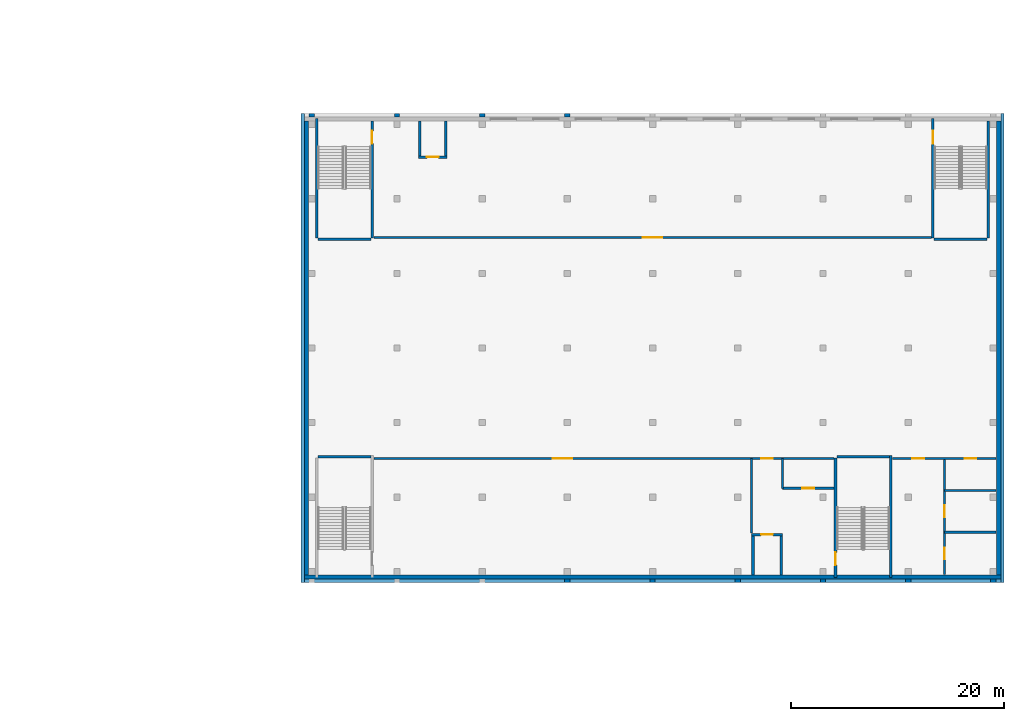
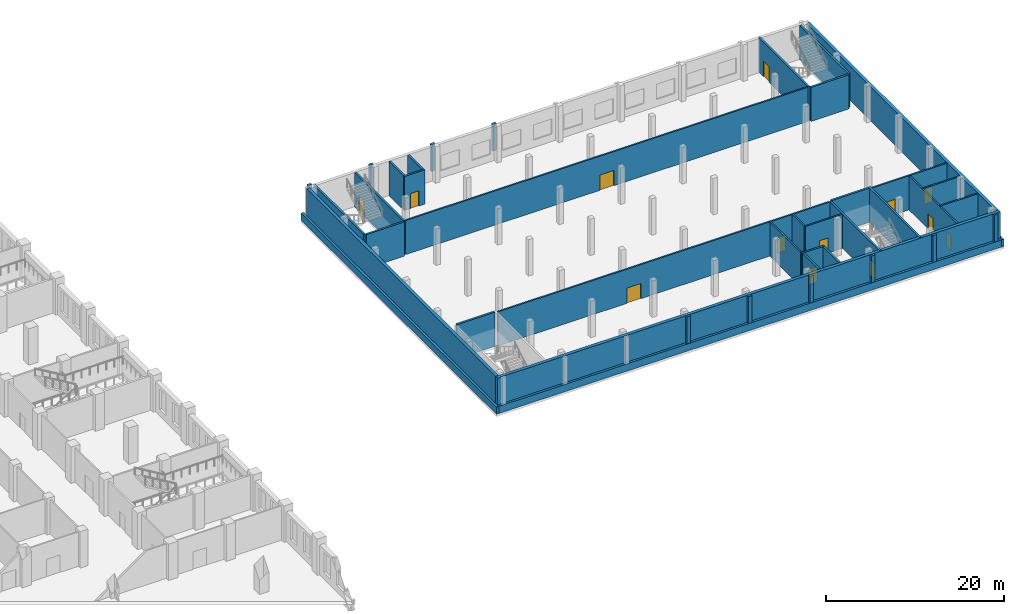
# One storey, part 11 of 32: 41 walls, 13 doors, 13 openings.
"""IFC4 building model written with IfcOpenShell, lengths in metres."""

from ifc_helpers import new_model, si_unit, direction, frame, frame_2d, origin, place, context, subcontext, project, spatial, rectangle, extrude, material, layer, layer_set, type_object, element, fill, save


model = new_model("IFC4")

# Units and contexts
model_context = context("Model", 3, precision=1e-05, world=origin(), true_north=direction((0.0, 1.0)))
body_context = subcontext(model_context, "Body", "Model", "MODEL_VIEW")
ifc_project = project(units=[si_unit("LENGTHUNIT", "METRE"), si_unit("AREAUNIT", "SQUARE_METRE"), si_unit("VOLUMEUNIT", "CUBIC_METRE"), si_unit("PLANEANGLEUNIT", "RADIAN"), si_unit("MASSUNIT", "GRAM", prefix="KILO")], contexts=[model_context])

# Site, building, storey
site_placement = place(None, origin())
site = spatial("IfcSite", under=ifc_project, at=site_placement, CompositionType="ELEMENT")
building_placement = place(site_placement, origin())
building = spatial("IfcBuilding", under=site, at=building_placement, Name="Tamorin Gate", CompositionType="ELEMENT")
storey_placement = place(building_placement, frame((0.0, 0.0, 13.5)))
storey = spatial("IfcBuildingStorey", under=building, at=storey_placement, Name="L02", CompositionType="ELEMENT", Elevation=13.5)

# Wall, openings, doors
ifc_material_1 = material(Name="Dense blockwork, plastered", Category="masonry")
ifc_layer_1 = layer(ifc_material_1, 0.199951171875)
ifc_layer_set_1 = layer_set([ifc_layer_1], Name="Blockwork partition 200")
wall_type_1 = type_object("IfcWallType", Name="Blockwork partition 200", PredefinedType="PARTITIONING", material=ifc_layer_set_1)
wall_1_placement = place(storey_placement, frame((151.530029296875, 66.330078125, 0.0), z_axis=(0.0, 0.0, 1.0), x_axis=(1.0, 0.0, 0.0)))
wall_1 = element("IfcWall", 1, at=wall_1_placement, inside=storey, type_object=wall_type_1, Name="Partition", PredefinedType="PARTITIONING", context=body_context, shape_type="SweptSolid", body=[
    extrude(rectangle(XDim=43.18994140625, YDim=0.199951171875, at=frame_2d((21.594970703125, 0.0))), origin(), (0.0, 0.0, 1.0), 4.699951171875),
])
opening_1_placement = place(wall_1_placement, frame((16.820068359375, 0.0, 0.0)))
opening_1 = element("IfcOpeningElement", 2, at=opening_1_placement, cuts=wall_1, Name="Opening DM77", PredefinedType="OPENING", context=body_context, shape_type="SweptSolid", body=[
    extrude(rectangle(XDim=1.800048828125, YDim=2.10009765625, at=frame_2d((0.89990234375, 1.050048828125))), frame((0.0, 0.10986328125, 0.0), z_axis=(0.0, -1.0, 0.0), x_axis=(1.0, 0.0, 0.0)), (0.0, 0.0, 1.0), 0.219970703125),
])
opening_2_placement = place(wall_1_placement, frame((36.3701171875, 0.0, 0.0)))
opening_2 = element("IfcOpeningElement", 3, at=opening_2_placement, cuts=wall_1, Name="Opening DM79", PredefinedType="OPENING", context=body_context, shape_type="SweptSolid", body=[
    extrude(rectangle(XDim=1.10009765625, YDim=2.10009765625, at=frame_2d((0.550048828125, 1.050048828125))), frame((0.0, 0.10986328125, 0.0), z_axis=(0.0, -1.0, 0.0), x_axis=(1.0, 0.0, 0.0)), (0.0, 0.0, 1.0), 0.219970703125),
])
ifc_material_2 = material(Name="Steel, painted", Category="steel")
door_type_1 = type_object("IfcDoorType", Name="Museum door 1100x2100", OperationType="SINGLE_SWING_LEFT", PredefinedType="DOOR", material=ifc_material_2)
door_1_placement = place(opening_2_placement, origin())
door_1 = element("IfcDoor", 4, at=door_1_placement, inside=storey, type_object=door_type_1, Name="Door Goods lobby", OperationType="SINGLE_SWING_RIGHT", OverallHeight=2.10009765625, OverallWidth=1.10009765625, PredefinedType="DOOR", context=body_context, shape_type="SweptSolid", body=[
    extrude(rectangle(XDim=1.10009765625, YDim=2.10009765625, at=frame_2d((0.550048828125, 1.050048828125))), frame((0.0, 0.02490234375, 0.0), z_axis=(0.0, -1.0, 0.0), x_axis=(1.0, 0.0, 0.0)), (0.0, 0.0, 1.0), 0.050048828125),
])
fill(opening_2, door_1)
door_type_2 = type_object("IfcDoorType", Name="Museum double door 1800x2100", OperationType="DOUBLE_DOOR_SINGLE_SWING", PredefinedType="DOOR", material=ifc_material_2)
door_2_placement = place(opening_1_placement, origin())
door_2 = element("IfcDoor", 5, at=door_2_placement, inside=storey, type_object=door_type_2, Name="Door Gallery two introduction", OperationType="DOUBLE_DOOR_SINGLE_SWING", OverallHeight=2.10009765625, OverallWidth=1.800048828125, PredefinedType="DOOR", context=body_context, shape_type="SweptSolid", body=[
    extrude(rectangle(XDim=1.800048828125, YDim=2.10009765625, at=frame_2d((0.89990234375, 1.050048828125))), frame((0.0, 0.02490234375, 0.0), z_axis=(0.0, -1.0, 0.0), x_axis=(1.0, 0.0, 0.0)), (0.0, 0.0, 1.0), 0.050048828125),
])
fill(opening_1, door_2)

wall_2_placement = place(storey_placement, frame((200.22998046875, 66.330078125, 0.0), z_axis=(0.0, 0.0, 1.0), x_axis=(1.0, 0.0, 0.0)))
wall_2 = element("IfcWall", 6, at=wall_2_placement, inside=storey, type_object=wall_type_1, Name="Partition", PredefinedType="PARTITIONING", context=body_context, shape_type="SweptSolid", body=[
    extrude(rectangle(XDim=9.719970703125, YDim=0.199951171875, at=frame_2d((4.85986328125, 0.0))), origin(), (0.0, 0.0, 1.0), 4.699951171875),
])
opening_3_placement = place(wall_2_placement, frame((1.8701171875, 0.0, 0.0)))
opening_3 = element("IfcOpeningElement", 7, at=opening_3_placement, cuts=wall_2, Name="Opening DM80", PredefinedType="OPENING", context=body_context, shape_type="SweptSolid", body=[
    extrude(rectangle(XDim=1.10009765625, YDim=2.10009765625, at=frame_2d((0.550048828125, 1.050048828125))), frame((0.0, 0.10986328125, 0.0), z_axis=(0.0, -1.0, 0.0), x_axis=(1.0, 0.0, 0.0)), (0.0, 0.0, 1.0), 0.219970703125),
])
opening_4_placement = place(wall_2_placement, frame((6.77001953125, 0.0, 0.0)))
opening_4 = element("IfcOpeningElement", 8, at=opening_4_placement, cuts=wall_2, Name="Opening DM81", PredefinedType="OPENING", context=body_context, shape_type="SweptSolid", body=[
    extrude(rectangle(XDim=1.10009765625, YDim=2.10009765625, at=frame_2d((0.550048828125, 1.050048828125))), frame((0.0, 0.10986328125, 0.0), z_axis=(0.0, -1.0, 0.0), x_axis=(1.0, 0.0, 0.0)), (0.0, 0.0, 1.0), 0.219970703125),
])
door_3_placement = place(opening_3_placement, origin())
door_3 = element("IfcDoor", 9, at=door_3_placement, inside=storey, type_object=door_type_1, Name="Door Public WC", OperationType="SINGLE_SWING_LEFT", OverallHeight=2.10009765625, OverallWidth=1.10009765625, PredefinedType="DOOR", context=body_context, shape_type="SweptSolid", body=[
    extrude(rectangle(XDim=1.10009765625, YDim=2.10009765625, at=frame_2d((0.550048828125, 1.050048828125))), frame((0.0, 0.02490234375, 0.0), z_axis=(0.0, -1.0, 0.0), x_axis=(1.0, 0.0, 0.0)), (0.0, 0.0, 1.0), 0.050048828125),
])
fill(opening_3, door_3)
door_4_placement = place(opening_4_placement, origin())
door_4 = element("IfcDoor", 10, at=door_4_placement, inside=storey, type_object=door_type_1, Name="Door Accessible WC", OperationType="SINGLE_SWING_RIGHT", OverallHeight=2.10009765625, OverallWidth=1.10009765625, PredefinedType="DOOR", context=body_context, shape_type="SweptSolid", body=[
    extrude(rectangle(XDim=1.10009765625, YDim=2.10009765625, at=frame_2d((0.550048828125, 1.050048828125))), frame((0.0, 0.02490234375, 0.0), z_axis=(0.0, -1.0, 0.0), x_axis=(1.0, 0.0, 0.0)), (0.0, 0.0, 1.0), 0.050048828125),
])
fill(opening_4, door_4)

# Wall, opening, door
wall_3_placement = place(storey_placement, frame((189.89990234375, 63.530029296875, 0.0), z_axis=(0.0, 0.0, 1.0), x_axis=(1.0, 0.0, 0.0)))
wall_3 = element("IfcWall", 11, at=wall_3_placement, inside=storey, type_object=wall_type_1, Name="Partition", PredefinedType="PARTITIONING", context=body_context, shape_type="SweptSolid", body=[
    extrude(rectangle(XDim=4.820068359375, YDim=0.199951171875, at=frame_2d((2.41015625, 0.0))), origin(), (0.0, 0.0, 1.0), 4.699951171875),
])
opening_5_placement = place(wall_3_placement, frame((1.875, 0.0, 0.0)))
opening_5 = element("IfcOpeningElement", 12, at=opening_5_placement, cuts=wall_3, Name="Opening DM78", PredefinedType="OPENING", context=body_context, shape_type="SweptSolid", body=[
    extrude(rectangle(XDim=1.10009765625, YDim=2.10009765625, at=frame_2d((0.550048828125, 1.050048828125))), frame((0.0, 0.10986328125, 0.0), z_axis=(0.0, -1.0, 0.0), x_axis=(1.0, 0.0, 0.0)), (0.0, 0.0, 1.0), 0.219970703125),
])
door_5_placement = place(opening_5_placement, origin())
door_5 = element("IfcDoor", 13, at=door_5_placement, inside=storey, type_object=door_type_1, Name="Door Cleaner's store", OperationType="SINGLE_SWING_LEFT", OverallHeight=2.10009765625, OverallWidth=1.10009765625, PredefinedType="DOOR", context=body_context, shape_type="SweptSolid", body=[
    extrude(rectangle(XDim=1.10009765625, YDim=2.10009765625, at=frame_2d((0.550048828125, 1.050048828125))), frame((0.0, 0.02490234375, 0.0), z_axis=(0.0, -1.0, 0.0), x_axis=(1.0, 0.0, 0.0)), (0.0, 0.0, 1.0), 0.050048828125),
])
fill(opening_5, door_5)

# Walls
for number, where, z_axis, x_axis, name in (
    (14, (205.10009765625, 63.330078125, 0.0), (0.0, 0.0, 1.0), (1.0, 0.0, 0.0), "Partition"),
    (15, (205.10009765625, 59.39990234375, 0.0), (0.0, 0.0, 1.0), (1.0, 0.0, 0.0), "Partition"),
):
    element("IfcWall", number, at=place(storey_placement, frame(where, z_axis=z_axis, x_axis=x_axis)), inside=storey, type_object=wall_type_1, Name=name, PredefinedType="PARTITIONING", context=body_context, shape_type="SweptSolid", body=[
        extrude(rectangle(XDim=4.849853515625, YDim=0.199951171875, at=frame_2d((2.4248046875, 0.0))), origin(), (0.0, 0.0, 1.0), 4.699951171875),
    ])

# Wall, opening, door
wall_4_placement = place(storey_placement, frame((151.530029296875, 87.070068359375, 0.0), z_axis=(0.0, 0.0, 1.0), x_axis=(1.0, 0.0, 0.0)))
wall_4 = element("IfcWall", 16, at=wall_4_placement, inside=storey, type_object=wall_type_1, Name="Partition", PredefinedType="PARTITIONING", context=body_context, shape_type="SweptSolid", body=[
    extrude(rectangle(XDim=52.340087890625, YDim=0.199951171875, at=frame_2d((26.169921875, 0.0))), origin(), (0.0, 0.0, 1.0), 4.699951171875),
])
opening_6_placement = place(wall_4_placement, frame((25.27001953125, 0.0, 0.0)))
opening_6 = element("IfcOpeningElement", 17, at=opening_6_placement, cuts=wall_4, Name="Opening DM84", PredefinedType="OPENING", context=body_context, shape_type="SweptSolid", body=[
    extrude(rectangle(XDim=1.800048828125, YDim=2.10009765625, at=frame_2d((0.89990234375, 1.050048828125))), frame((0.0, 0.10986328125, 0.0), z_axis=(0.0, -1.0, 0.0), x_axis=(1.0, 0.0, 0.0)), (0.0, 0.0, 1.0), 0.219970703125),
])
door_6_placement = place(opening_6_placement, origin())
door_6 = element("IfcDoor", 18, at=door_6_placement, inside=storey, type_object=door_type_2, Name="Door Gallery two", OperationType="DOUBLE_DOOR_SINGLE_SWING", OverallHeight=2.10009765625, OverallWidth=1.800048828125, PredefinedType="DOOR", context=body_context, shape_type="SweptSolid", body=[
    extrude(rectangle(XDim=1.800048828125, YDim=2.10009765625, at=frame_2d((0.89990234375, 1.050048828125))), frame((0.0, 0.02490234375, 0.0), z_axis=(0.0, -1.0, 0.0), x_axis=(1.0, 0.0, 0.0)), (0.0, 0.0, 1.0), 0.050048828125),
])
fill(opening_6, door_6)

# Walls
wall_5_placement = place(storey_placement, frame((187.0, 59.330078125, 0.0), z_axis=(0.0, 0.0, 1.0), x_axis=(0.0, 1.0, 0.0)))
element("IfcWall", 19, at=wall_5_placement, inside=storey, type_object=wall_type_1, Name="Partition", PredefinedType="PARTITIONING", context=body_context, shape_type="SweptSolid", body=[
    extrude(rectangle(XDim=7.0, YDim=0.199951171875, at=frame_2d((3.5, 0.0))), origin(), (0.0, 0.0, 1.0), 4.699951171875),
])
wall_6_placement = place(storey_placement, frame((189.89990234375, 63.530029296875, 0.0), z_axis=(0.0, 0.0, 1.0), x_axis=(0.0, 1.0, 0.0)))
element("IfcWall", 20, at=wall_6_placement, inside=storey, type_object=wall_type_1, Name="Partition", PredefinedType="PARTITIONING", context=body_context, shape_type="SweptSolid", body=[
    extrude(rectangle(XDim=2.800048828125, YDim=0.199951171875, at=frame_2d((1.39990234375, 0.0))), origin(), (0.0, 0.0, 1.0), 4.699951171875),
])

# Wall, openings, doors
wall_7_placement = place(storey_placement, frame((205.10009765625, 55.449951171875, 0.0), z_axis=(0.0, 0.0, 1.0), x_axis=(0.0, 1.0, 0.0)))
wall_7 = element("IfcWall", 21, at=wall_7_placement, inside=storey, type_object=wall_type_1, Name="Partition", PredefinedType="PARTITIONING", context=body_context, shape_type="SweptSolid", body=[
    extrude(rectangle(XDim=10.880126953125, YDim=0.199951171875, at=frame_2d((5.43994140625, 0.0))), origin(), (0.0, 0.0, 1.0), 4.699951171875),
])
opening_7_placement = place(wall_7_placement, frame((1.39990234375, 0.0, 0.0)))
opening_7 = element("IfcOpeningElement", 22, at=opening_7_placement, cuts=wall_7, Name="Opening DM82", PredefinedType="OPENING", context=body_context, shape_type="SweptSolid", body=[
    extrude(rectangle(XDim=1.10009765625, YDim=2.10009765625, at=frame_2d((0.550048828125, 1.050048828125))), frame((0.0, 0.10986328125, 0.0), z_axis=(0.0, -1.0, 0.0), x_axis=(1.0, 0.0, 0.0)), (0.0, 0.0, 1.0), 0.219970703125),
])
opening_8_placement = place(wall_7_placement, frame((5.364990234375, 0.0, 0.0)))
opening_8 = element("IfcOpeningElement", 23, at=opening_8_placement, cuts=wall_7, Name="Opening DM83", PredefinedType="OPENING", context=body_context, shape_type="SweptSolid", body=[
    extrude(rectangle(XDim=1.10009765625, YDim=2.10009765625, at=frame_2d((0.550048828125, 1.050048828125))), frame((0.0, 0.10986328125, 0.0), z_axis=(0.0, -1.0, 0.0), x_axis=(1.0, 0.0, 0.0)), (0.0, 0.0, 1.0), 0.219970703125),
])
door_7_placement = place(opening_7_placement, origin())
door_7 = element("IfcDoor", 24, at=door_7_placement, inside=storey, type_object=door_type_1, Name="Door Family changing room", OperationType="SINGLE_SWING_LEFT", OverallHeight=2.10009765625, OverallWidth=1.10009765625, PredefinedType="DOOR", context=body_context, shape_type="SweptSolid", body=[
    extrude(rectangle(XDim=1.10009765625, YDim=2.10009765625, at=frame_2d((0.550048828125, 1.050048828125))), frame((0.0, 0.02490234375, 0.0), z_axis=(0.0, -1.0, 0.0), x_axis=(1.0, 0.0, 0.0)), (0.0, 0.0, 1.0), 0.050048828125),
])
fill(opening_7, door_7)
door_8_placement = place(opening_8_placement, origin())
door_8 = element("IfcDoor", 25, at=door_8_placement, inside=storey, type_object=door_type_1, Name="Door Baby care room", OperationType="SINGLE_SWING_RIGHT", OverallHeight=2.10009765625, OverallWidth=1.10009765625, PredefinedType="DOOR", context=body_context, shape_type="SweptSolid", body=[
    extrude(rectangle(XDim=1.10009765625, YDim=2.10009765625, at=frame_2d((0.550048828125, 1.050048828125))), frame((0.0, 0.02490234375, 0.0), z_axis=(0.0, -1.0, 0.0), x_axis=(1.0, 0.0, 0.0)), (0.0, 0.0, 1.0), 0.050048828125),
])
fill(opening_8, door_8)

# Walls
ifc_material_3 = material(Name="Concrete C40/50", Category="concrete")
ifc_layer_2 = layer(ifc_material_3, 0.39990234375)
ifc_layer_set_2 = layer_set([ifc_layer_2], Name="Board-marked concrete facade wall 400 C40/50")
wall_type_2 = type_object("IfcWallType", Name="Board-marked concrete facade wall 400 C40/50", PredefinedType="SOLIDWALL", material=ifc_layer_set_2)
wall_8_placement = place(storey_placement, frame((145.0, 55.199951171875, 0.0), z_axis=(0.0, 0.0, 1.0), x_axis=(1.0, 0.0, 0.0)))
element("IfcWall", 26, at=wall_8_placement, inside=storey, type_object=wall_type_2, Name="Facade wall", PredefinedType="SOLIDWALL", context=body_context, shape_type="SweptSolid", body=[
    extrude(rectangle(XDim=65.39990234375, YDim=0.39990234375, at=frame_2d((32.699951171875, 0.0))), origin(), (0.0, 0.0, 1.0), 4.699951171875),
])
for number, where, z_axis, x_axis, name in (
    (27, (145.199951171875, 55.39990234375, 0.0), (0.0, 0.0, 1.0), (0.0, 1.0, 0.0), "Facade wall"),
    (28, (210.199951171875, 55.39990234375, 0.0), (0.0, 0.0, 1.0), (0.0, 1.0, 0.0), "Facade wall"),
):
    element("IfcWall", number, at=place(storey_placement, frame(where, z_axis=z_axis, x_axis=x_axis)), inside=storey, type_object=wall_type_2, Name=name, PredefinedType="SOLIDWALL", context=body_context, shape_type="SweptSolid", body=[
        extrude(rectangle(XDim=42.60009765625, YDim=0.39990234375, at=frame_2d((21.300048828125, 0.0))), origin(), (0.0, 0.0, 1.0), 4.699951171875),
    ])
ifc_layer_3 = layer(ifc_material_3, 0.25)
ifc_layer_set_3 = layer_set([ifc_layer_3], Name="Museum stair and lift enclosure wall 250 C40/50")
wall_type_3 = type_object("IfcWallType", Name="Museum stair and lift enclosure wall 250 C40/50", PredefinedType="SHEAR", material=ifc_layer_set_3)
wall_9_placement = place(storey_placement, frame((146.175048828125, 87.0400390625, 0.0), z_axis=(0.0, 0.0, 1.0), x_axis=(0.0, 1.0, 0.0)))
element("IfcWall", 29, at=wall_9_placement, inside=storey, type_object=wall_type_3, Name="Stair PS6 wall", PredefinedType="SHEAR", context=body_context, shape_type="SweptSolid", body=[
    extrude(rectangle(XDim=11.2099609375, YDim=0.25, at=frame_2d((5.60498046875, 0.0))), origin(), (0.0, 0.0, 1.0), 4.699951171875),
])

# Wall, opening, door
wall_10_placement = place(storey_placement, frame((151.375, 87.0400390625, 0.0), z_axis=(0.0, 0.0, 1.0), x_axis=(0.0, 1.0, 0.0)))
wall_10 = element("IfcWall", 30, at=wall_10_placement, inside=storey, type_object=wall_type_3, Name="Stair PS6 wall", PredefinedType="SHEAR", context=body_context, shape_type="SweptSolid", body=[
    extrude(rectangle(XDim=10.9599609375, YDim=0.25, at=frame_2d((5.47998046875, 0.0))), origin(), (0.0, 0.0, 1.0), 4.699951171875),
])
opening_9_placement = place(wall_10_placement, frame((8.860107421875, 0.0, 0.0)))
opening_9 = element("IfcOpeningElement", 31, at=opening_9_placement, cuts=wall_10, Name="Opening DM4", PredefinedType="OPENING", context=body_context, shape_type="SweptSolid", body=[
    extrude(rectangle(XDim=1.199951171875, YDim=2.10009765625, at=frame_2d((0.60009765625, 1.050048828125))), frame((0.0, 0.135009765625, 0.0), z_axis=(0.0, -1.0, 0.0), x_axis=(1.0, 0.0, 0.0)), (0.0, 0.0, 1.0), 0.27001953125),
])
door_type_3 = type_object("IfcDoorType", Name="Museum stair door 1200x2100 FD90", OperationType="SINGLE_SWING_LEFT", PredefinedType="DOOR", material=ifc_material_2)
door_9_placement = place(opening_9_placement, origin())
door_9 = element("IfcDoor", 32, at=door_9_placement, inside=storey, type_object=door_type_3, Name="Stair door", OperationType="SINGLE_SWING_RIGHT", OverallHeight=2.10009765625, OverallWidth=1.199951171875, PredefinedType="DOOR", context=body_context, shape_type="SweptSolid", body=[
    extrude(rectangle(XDim=1.199951171875, YDim=2.10009765625, at=frame_2d((0.60009765625, 1.050048828125))), frame((0.0, 0.02490234375, 0.0), z_axis=(0.0, -1.0, 0.0), x_axis=(1.0, 0.0, 0.0)), (0.0, 0.0, 1.0), 0.050048828125),
])
fill(opening_9, door_9)

# Wall
wall_11_placement = place(storey_placement, frame((146.300048828125, 86.9150390625, 0.0), z_axis=(0.0, 0.0, 1.0), x_axis=(1.0, 0.0, 0.0)))
element("IfcWall", 33, at=wall_11_placement, inside=storey, type_object=wall_type_3, Name="Stair PS6 wall", PredefinedType="SHEAR", context=body_context, shape_type="SweptSolid", body=[
    extrude(rectangle(XDim=4.949951171875, YDim=0.25, at=frame_2d((2.47509765625, 0.0))), origin(), (0.0, 0.0, 1.0), 4.699951171875),
])

# Wall, opening, door
wall_12_placement = place(storey_placement, frame((194.875, 55.14990234375, 0.0), z_axis=(0.0, 0.0, 1.0), x_axis=(0.0, 1.0, 0.0)))
wall_12 = element("IfcWall", 34, at=wall_12_placement, inside=storey, type_object=wall_type_3, Name="Stair PS7 wall", PredefinedType="SHEAR", context=body_context, shape_type="SweptSolid", body=[
    extrude(rectangle(XDim=11.210205078125, YDim=0.25, at=frame_2d((5.60498046875, 0.0))), origin(), (0.0, 0.0, 1.0), 4.699951171875),
])
opening_10_placement = place(wall_12_placement, frame((1.14990234375, 0.0, 0.0)))
opening_10 = element("IfcOpeningElement", 35, at=opening_10_placement, cuts=wall_12, Name="Opening DM10", PredefinedType="OPENING", context=body_context, shape_type="SweptSolid", body=[
    extrude(rectangle(XDim=1.199951171875, YDim=2.10009765625, at=frame_2d((0.60009765625, 1.050048828125))), frame((0.0, 0.135009765625, 0.0), z_axis=(0.0, -1.0, 0.0), x_axis=(1.0, 0.0, 0.0)), (0.0, 0.0, 1.0), 0.27001953125),
])
door_10_placement = place(opening_10_placement, origin())
door_10 = element("IfcDoor", 36, at=door_10_placement, inside=storey, type_object=door_type_3, Name="Stair door", OperationType="SINGLE_SWING_RIGHT", OverallHeight=2.10009765625, OverallWidth=1.199951171875, PredefinedType="DOOR", context=body_context, shape_type="SweptSolid", body=[
    extrude(rectangle(XDim=1.199951171875, YDim=2.10009765625, at=frame_2d((0.60009765625, 1.050048828125))), frame((0.0, 0.02490234375, 0.0), z_axis=(0.0, -1.0, 0.0), x_axis=(1.0, 0.0, 0.0)), (0.0, 0.0, 1.0), 0.050048828125),
])
fill(opening_10, door_10)

# Walls
wall_13_placement = place(storey_placement, frame((200.074951171875, 55.14990234375, 0.0), z_axis=(0.0, 0.0, 1.0), x_axis=(0.0, 1.0, 0.0)))
element("IfcWall", 37, at=wall_13_placement, inside=storey, type_object=wall_type_3, Name="Stair PS7 wall", PredefinedType="SHEAR", context=body_context, shape_type="SweptSolid", body=[
    extrude(rectangle(XDim=11.460205078125, YDim=0.25, at=frame_2d((5.72998046875, 0.0))), origin(), (0.0, 0.0, 1.0), 4.699951171875),
])
for number, where, z_axis, x_axis, name in (
    (38, (195.0, 66.485107421875, 0.0), (0.0, 0.0, 1.0), (1.0, 0.0, 0.0), "Stair PS7 wall"),
    (39, (146.300048828125, 66.485107421875, 0.0), (0.0, 0.0, 1.0), (1.0, 0.0, 0.0), "Stair PS8 wall"),
):
    element("IfcWall", number, at=place(storey_placement, frame(where, z_axis=z_axis, x_axis=x_axis)), inside=storey, type_object=wall_type_3, Name=name, PredefinedType="SHEAR", context=body_context, shape_type="SweptSolid", body=[
        extrude(rectangle(XDim=4.949951171875, YDim=0.25, at=frame_2d((2.47509765625, 0.0))), origin(), (0.0, 0.0, 1.0), 4.699951171875),
    ])

# Wall, opening, door
wall_14_placement = place(storey_placement, frame((204.02490234375, 87.0400390625, 0.0), z_axis=(0.0, 0.0, 1.0), x_axis=(0.0, 1.0, 0.0)))
wall_14 = element("IfcWall", 40, at=wall_14_placement, inside=storey, type_object=wall_type_3, Name="Stair PS9 wall", PredefinedType="SHEAR", context=body_context, shape_type="SweptSolid", body=[
    extrude(rectangle(XDim=11.2099609375, YDim=0.25, at=frame_2d((5.60498046875, 0.0))), origin(), (0.0, 0.0, 1.0), 4.699951171875),
])
opening_11_placement = place(wall_14_placement, frame((8.860107421875, 0.0, 0.0)))
opening_11 = element("IfcOpeningElement", 41, at=opening_11_placement, cuts=wall_14, Name="Opening DM22", PredefinedType="OPENING", context=body_context, shape_type="SweptSolid", body=[
    extrude(rectangle(XDim=1.199951171875, YDim=2.10009765625, at=frame_2d((0.60009765625, 1.050048828125))), frame((0.0, 0.135009765625, 0.0), z_axis=(0.0, -1.0, 0.0), x_axis=(1.0, 0.0, 0.0)), (0.0, 0.0, 1.0), 0.27001953125),
])
door_11_placement = place(opening_11_placement, origin())
door_11 = element("IfcDoor", 42, at=door_11_placement, inside=storey, type_object=door_type_3, Name="Stair door", OperationType="SINGLE_SWING_RIGHT", OverallHeight=2.10009765625, OverallWidth=1.199951171875, PredefinedType="DOOR", context=body_context, shape_type="SweptSolid", body=[
    extrude(rectangle(XDim=1.199951171875, YDim=2.10009765625, at=frame_2d((0.60009765625, 1.050048828125))), frame((0.0, 0.02490234375, 0.0), z_axis=(0.0, -1.0, 0.0), x_axis=(1.0, 0.0, 0.0)), (0.0, 0.0, 1.0), 0.050048828125),
])
fill(opening_11, door_11)

# Walls
wall_15_placement = place(storey_placement, frame((209.22509765625, 87.0400390625, 0.0), z_axis=(0.0, 0.0, 1.0), x_axis=(0.0, 1.0, 0.0)))
element("IfcWall", 43, at=wall_15_placement, inside=storey, type_object=wall_type_3, Name="Stair PS9 wall", PredefinedType="SHEAR", context=body_context, shape_type="SweptSolid", body=[
    extrude(rectangle(XDim=10.9599609375, YDim=0.25, at=frame_2d((5.47998046875, 0.0))), origin(), (0.0, 0.0, 1.0), 4.699951171875),
])
wall_16_placement = place(storey_placement, frame((204.14990234375, 86.9150390625, 0.0), z_axis=(0.0, 0.0, 1.0), x_axis=(1.0, 0.0, 0.0)))
element("IfcWall", 44, at=wall_16_placement, inside=storey, type_object=wall_type_3, Name="Stair PS9 wall", PredefinedType="SHEAR", context=body_context, shape_type="SweptSolid", body=[
    extrude(rectangle(XDim=4.9501953125, YDim=0.25, at=frame_2d((2.47509765625, 0.0))), origin(), (0.0, 0.0, 1.0), 4.699951171875),
])

# Wall, opening, door
wall_17_placement = place(storey_placement, frame((155.699951171875, 94.625, 0.0), z_axis=(0.0, 0.0, 1.0), x_axis=(1.0, 0.0, 0.0)))
wall_17 = element("IfcWall", 45, at=wall_17_placement, inside=storey, type_object=wall_type_3, Name="Lift shaft LM1", PredefinedType="SHEAR", context=body_context, shape_type="SweptSolid", body=[
    extrude(rectangle(XDim=2.699951171875, YDim=0.25, at=frame_2d((1.35009765625, 0.0))), origin(), (0.0, 0.0, 1.0), 4.699951171875),
])
opening_12_placement = place(wall_17_placement, frame((0.800048828125, 0.0, 0.0)))
opening_12 = element("IfcOpeningElement", 46, at=opening_12_placement, cuts=wall_17, Name="Opening LD24", PredefinedType="OPENING", context=body_context, shape_type="SweptSolid", body=[
    extrude(rectangle(XDim=1.10009765625, YDim=2.10009765625, at=frame_2d((0.550048828125, 1.050048828125))), frame((0.0, 0.135009765625, 0.0), z_axis=(0.0, -1.0, 0.0), x_axis=(1.0, 0.0, 0.0)), (0.0, 0.0, 1.0), 0.27001953125),
])
ifc_material_4 = material(Name="Stainless steel", Category="steel")
door_type_4 = type_object("IfcDoorType", Name="Museum lift landing door 1100x2100", OperationType="DOUBLE_DOOR_SLIDING", PredefinedType="DOOR", material=ifc_material_4)
door_12_placement = place(opening_12_placement, origin())
door_12 = element("IfcDoor", 47, at=door_12_placement, inside=storey, type_object=door_type_4, Name="Lift landing door", OperationType="DOUBLE_DOOR_SLIDING", OverallHeight=2.10009765625, OverallWidth=1.10009765625, PredefinedType="DOOR", context=body_context, shape_type="SweptSolid", body=[
    extrude(rectangle(XDim=1.10009765625, YDim=2.10009765625, at=frame_2d((0.550048828125, 1.050048828125))), frame((0.0, 0.02490234375, 0.0), z_axis=(0.0, -1.0, 0.0), x_axis=(1.0, 0.0, 0.0)), (0.0, 0.0, 1.0), 0.050048828125),
])
fill(opening_12, door_12)

# Walls
for number, where, z_axis, x_axis, name in (
    (48, (155.824951171875, 94.75, 0.0), (0.0, 0.0, 1.0), (0.0, 1.0, 0.0), "Lift shaft LM1"),
    (49, (158.27490234375, 94.75, 0.0), (0.0, 0.0, 1.0), (0.0, 1.0, 0.0), "Lift shaft LM1"),
):
    element("IfcWall", number, at=place(storey_placement, frame(where, z_axis=z_axis, x_axis=x_axis)), inside=storey, type_object=wall_type_3, Name=name, PredefinedType="SHEAR", context=body_context, shape_type="SweptSolid", body=[
        extrude(rectangle(XDim=3.25, YDim=0.25, at=frame_2d((1.625, 0.0))), origin(), (0.0, 0.0, 1.0), 4.699951171875),
    ])

# Wall, opening, door
wall_18_placement = place(storey_placement, frame((187.0, 59.175048828125, 0.0), z_axis=(0.0, 0.0, 1.0), x_axis=(1.0, 0.0, 0.0)))
wall_18 = element("IfcWall", 50, at=wall_18_placement, inside=storey, type_object=wall_type_3, Name="Lift shaft LM2", PredefinedType="SHEAR", context=body_context, shape_type="SweptSolid", body=[
    extrude(rectangle(XDim=2.89990234375, YDim=0.25, at=frame_2d((1.449951171875, 0.0))), origin(), (0.0, 0.0, 1.0), 4.699951171875),
])
opening_13_placement = place(wall_18_placement, frame((0.89990234375, 0.0, 0.0)))
opening_13 = element("IfcOpeningElement", 51, at=opening_13_placement, cuts=wall_18, Name="Opening LD24", PredefinedType="OPENING", context=body_context, shape_type="SweptSolid", body=[
    extrude(rectangle(XDim=1.10009765625, YDim=2.10009765625, at=frame_2d((0.550048828125, 1.050048828125))), frame((0.0, 0.135009765625, 0.0), z_axis=(0.0, -1.0, 0.0), x_axis=(1.0, 0.0, 0.0)), (0.0, 0.0, 1.0), 0.27001953125),
])
door_13_placement = place(opening_13_placement, origin())
door_13 = element("IfcDoor", 52, at=door_13_placement, inside=storey, type_object=door_type_4, Name="Lift landing door", OperationType="DOUBLE_DOOR_SLIDING", OverallHeight=2.10009765625, OverallWidth=1.10009765625, PredefinedType="DOOR", context=body_context, shape_type="SweptSolid", body=[
    extrude(rectangle(XDim=1.10009765625, YDim=2.10009765625, at=frame_2d((0.550048828125, 1.050048828125))), frame((0.0, 0.02490234375, 0.0), z_axis=(0.0, -1.0, 0.0), x_axis=(1.0, 0.0, 0.0)), (0.0, 0.0, 1.0), 0.050048828125),
])
fill(opening_13, door_13)

# Walls
for number, where, z_axis, x_axis, name in (
    (53, (187.125, 55.39990234375, 0.0), (0.0, 0.0, 1.0), (0.0, 1.0, 0.0), "Lift shaft LM2"),
    (54, (189.77490234375, 55.39990234375, 0.0), (0.0, 0.0, 1.0), (0.0, 1.0, 0.0), "Lift shaft LM2"),
):
    element("IfcWall", number, at=place(storey_placement, frame(where, z_axis=z_axis, x_axis=x_axis)), inside=storey, type_object=wall_type_3, Name=name, PredefinedType="SHEAR", context=body_context, shape_type="SweptSolid", body=[
        extrude(rectangle(XDim=3.650146484375, YDim=0.25, at=frame_2d((1.8251953125, 0.0))), origin(), (0.0, 0.0, 1.0), 4.699951171875),
    ])
ifc_layer_4 = layer(ifc_material_3, 0.300048828125)
ifc_layer_set_4 = layer_set([ifc_layer_4], Name="Precast concrete band wall 300 C40/50")
wall_type_4 = type_object("IfcWallType", Name="Precast concrete band wall 300 C40/50", PredefinedType="STANDARD", material=ifc_layer_set_4)
wall_19_placement = place(storey_placement, frame((145.0, 54.85009765625, 0.0), z_axis=(0.0, 0.0, 1.0), x_axis=(1.0, 0.0, 0.0)))
element("IfcWall", 55, at=wall_19_placement, inside=storey, type_object=wall_type_4, Name="Precast band", PredefinedType="STANDARD", context=body_context, shape_type="SweptSolid", body=[
    extrude(rectangle(XDim=65.39990234375, YDim=0.300048828125, at=frame_2d((32.699951171875, 0.0))), origin(), (0.0, 0.0, 1.0), 1.0),
])
for number, where, z_axis, x_axis, name in (
    (56, (144.85009765625, 54.699951171875, 0.0), (0.0, 0.0, 1.0), (0.0, 1.0, 0.0), "Precast band"),
    (57, (210.550048828125, 54.699951171875, 0.0), (0.0, 0.0, 1.0), (0.0, 1.0, 0.0), "Precast band"),
):
    element("IfcWall", number, at=place(storey_placement, frame(where, z_axis=z_axis, x_axis=x_axis)), inside=storey, type_object=wall_type_4, Name=name, PredefinedType="STANDARD", context=body_context, shape_type="SweptSolid", body=[
        extrude(rectangle(XDim=44.0, YDim=0.300048828125, at=frame_2d((22.0, 0.0))), origin(), (0.0, 0.0, 1.0), 1.0),
    ])
ifc_layer_5 = layer(ifc_material_3, 0.5)
ifc_layer_set_5 = layer_set([ifc_layer_5], Name="Precast rib wall 500 C40/50")
wall_type_5 = type_object("IfcWallType", Name="Precast rib wall 500 C40/50", PredefinedType="STANDARD", material=ifc_layer_set_5)
for number, where, z_axis, x_axis, name in (
    (58, (145.699951171875, 98.39990234375, 1.0), (0.0, 0.0, 1.0), (0.0, 1.0, 0.0), "Precast rib"),
    (59, (153.699951171875, 98.39990234375, 1.0), (0.0, 0.0, 1.0), (0.0, 1.0, 0.0), "Precast rib"),
    (60, (161.699951171875, 98.39990234375, 1.0), (0.0, 0.0, 1.0), (0.0, 1.0, 0.0), "Precast rib"),
    (61, (169.699951171875, 54.699951171875, 1.0), (0.0, 0.0, 1.0), (0.0, 1.0, 0.0), "Precast rib"),
    (62, (169.699951171875, 98.39990234375, 1.0), (0.0, 0.0, 1.0), (0.0, 1.0, 0.0), "Precast rib"),
    (63, (177.699951171875, 54.699951171875, 1.0), (0.0, 0.0, 1.0), (0.0, 1.0, 0.0), "Precast rib"),
    (64, (185.699951171875, 54.699951171875, 1.0), (0.0, 0.0, 1.0), (0.0, 1.0, 0.0), "Precast rib"),
    (65, (193.699951171875, 54.699951171875, 1.0), (0.0, 0.0, 1.0), (0.0, 1.0, 0.0), "Precast rib"),
    (66, (201.699951171875, 54.699951171875, 1.0), (0.0, 0.0, 1.0), (0.0, 1.0, 0.0), "Precast rib"),
    (67, (209.699951171875, 54.699951171875, 1.0), (0.0, 0.0, 1.0), (0.0, 1.0, 0.0), "Precast rib"),
):
    element("IfcWall", number, at=place(storey_placement, frame(where, z_axis=z_axis, x_axis=x_axis)), inside=storey, type_object=wall_type_5, Name=name, PredefinedType="STANDARD", context=body_context, shape_type="SweptSolid", body=[
        extrude(rectangle(XDim=0.300048828125, YDim=0.5, at=frame_2d((0.14990234375, 0.0))), origin(), (0.0, 0.0, 1.0), 3.699951171875),
    ])

save(model, "model.ifc")
